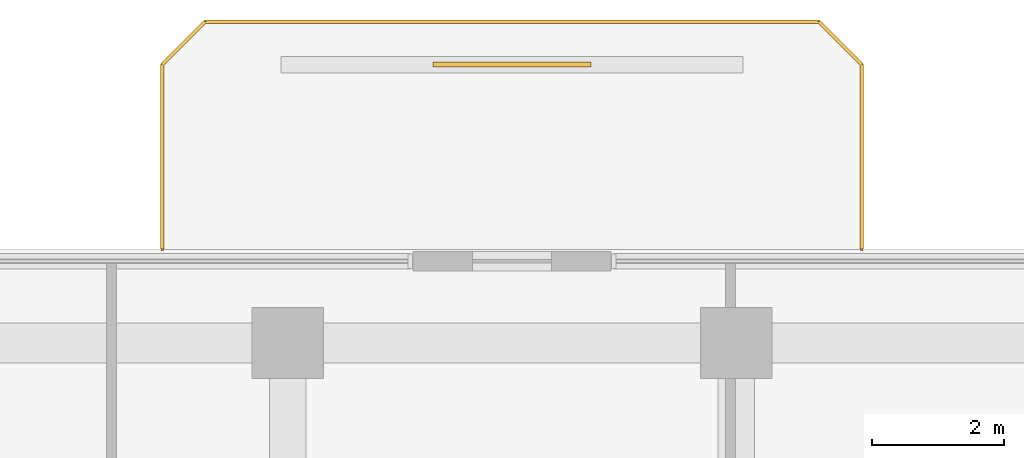
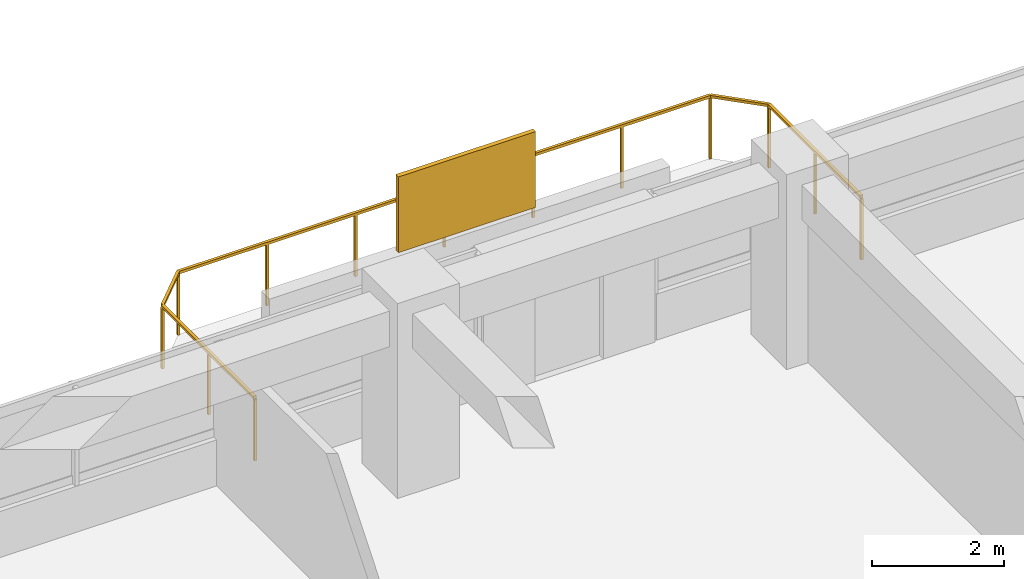
# One storey, part 13 of 13: 1 railing, 1 shading device.
"""IFC4 building model written with IfcOpenShell, lengths in metres."""

from ifc_helpers import new_model, si_unit, derived_unit, direction, frame, origin, origin_2d, place, context, subcontext, project, spatial, rectangle, extrude, material, layer, layer_set, type_object, element, save


model = new_model("IFC4")

# Units and contexts
model_context = context("Model", 3, precision=1e-05, world=origin(), true_north=direction((0.0, 1.0)))
body_context = subcontext(model_context, "Body", "Model", "MODEL_VIEW")
ifc_project = project(units=[si_unit("LENGTHUNIT", "METRE"), si_unit("AREAUNIT", "SQUARE_METRE"), si_unit("VOLUMEUNIT", "CUBIC_METRE"), si_unit("PLANEANGLEUNIT", "RADIAN"), si_unit("MASSUNIT", "GRAM", prefix="KILO"), derived_unit("THERMALTRANSMITTANCEUNIT", [(si_unit("POWERUNIT", "WATT"), 1), (si_unit("LENGTHUNIT", "METRE"), -2), (si_unit("THERMODYNAMICTEMPERATUREUNIT", "KELVIN"), -1)])], contexts=[model_context])

# Site, building, storey
site_placement = place(None, origin())
site = spatial("IfcSite", under=ifc_project, at=site_placement, CompositionType="ELEMENT")
building_placement = place(site_placement, origin())
building = spatial("IfcBuilding", under=site, at=building_placement, Name="Koralith Skygarden Medical Center", CompositionType="ELEMENT")
storey_placement = place(building_placement, frame((0.0, 0.0, 59.93994140625)))
storey = spatial("IfcBuildingStorey", under=building, at=storey_placement, Name="L15", CompositionType="ELEMENT", Elevation=59.93994140625)

# Railing
ifc_material_1 = material(Name="Steel ASTM A500 Grade C", Category="steel")
railing_type = type_object("IfcRailingType", Name="Outdoor Terrace & Balcony Safety Guardrail 1180", PredefinedType="GUARDRAIL", material=ifc_material_1)
railing_placement = place(storey_placement, frame((42.300048828125, 49.5, 0.0)))
element("IfcRailing", 1, at=railing_placement, inside=storey, type_object=railing_type, Name="L15 N Balcony Perimeter Guardrail", PredefinedType="GUARDRAIL", context=body_context, shape_type="SweptSolid", body=[
    extrude(rectangle(XDim=0.050048828125, YDim=0.050048828125, at=origin_2d()), frame((0.0, 0.001953125, 1.15478515625), z_axis=(0.0, 1.0, 0.0), x_axis=(-1.0, 0.0, 0.0)), (0.0, 0.0, 1.0), 2.796142578125),
    extrude(rectangle(XDim=0.050048828125, YDim=0.050048828125, at=origin_2d()), frame((-0.00146484375, 2.801513671875, 1.15478515625), z_axis=(-0.707239558722, 0.706973978714, 0.0), x_axis=(-0.706973978714, -0.707239558722, 0.0)), (0.0, 0.0, 1.0), 0.915283203125),
    extrude(rectangle(XDim=0.050048828125, YDim=0.050048828125, at=origin_2d()), frame((-0.652099609375, 3.449951171875, 1.15478515625), z_axis=(-1.0, 0.0, 0.0), x_axis=(0.0, -1.0, 0.0)), (0.0, 0.0, 1.0), 9.2958984375),
    extrude(rectangle(XDim=0.050048828125, YDim=0.050048828125, at=origin_2d()), frame((-9.951416015625, 3.448486328125, 1.15478515625), z_axis=(-0.707239558722, -0.706973978714, 0.0), x_axis=(0.706973978714, -0.707239558722, 0.0)), (0.0, 0.0, 1.0), 0.915283203125),
    extrude(rectangle(XDim=0.050048828125, YDim=0.050048828125, at=origin_2d()), frame((-10.60009765625, 2.798095703125, 1.15478515625), z_axis=(0.0, -1.0, 0.0), x_axis=(1.0, 0.0, 0.0)), (0.0, 0.0, 1.0), 2.796142578125),
    extrude(rectangle(XDim=0.0419921875, YDim=0.0419921875, at=origin_2d()), origin(), (0.0, 0.0, 1.0), 1.1279296875),
    extrude(rectangle(XDim=0.0419921875, YDim=0.0419921875, at=origin_2d()), frame((0.0, 1.39990234375, 0.0)), (0.0, 0.0, 1.0), 1.1279296875),
    extrude(rectangle(XDim=0.0419921875, YDim=0.0419921875, at=origin_2d()), frame((0.0, 2.800048828125, 0.0)), (0.0, 0.0, 1.0), 1.1279296875),
    extrude(rectangle(XDim=0.0419921875, YDim=0.0419921875, at=origin_2d()), frame((-0.650146484375, 3.449951171875, 0.0)), (0.0, 0.0, 1.0), 1.1279296875),
    extrude(rectangle(XDim=0.0419921875, YDim=0.0419921875, at=origin_2d()), frame((-2.2001953125, 3.449951171875, 0.0)), (0.0, 0.0, 1.0), 1.1279296875),
    extrude(rectangle(XDim=0.0419921875, YDim=0.0419921875, at=origin_2d()), frame((-3.75, 3.449951171875, 0.0)), (0.0, 0.0, 1.0), 1.1279296875),
    extrude(rectangle(XDim=0.0419921875, YDim=0.0419921875, at=origin_2d()), frame((-5.300048828125, 3.449951171875, 0.0)), (0.0, 0.0, 1.0), 1.1279296875),
    extrude(rectangle(XDim=0.0419921875, YDim=0.0419921875, at=origin_2d()), frame((-6.85009765625, 3.449951171875, 0.0)), (0.0, 0.0, 1.0), 1.1279296875),
    extrude(rectangle(XDim=0.0419921875, YDim=0.0419921875, at=origin_2d()), frame((-8.39990234375, 3.449951171875, 0.0)), (0.0, 0.0, 1.0), 1.1279296875),
    extrude(rectangle(XDim=0.0419921875, YDim=0.0419921875, at=origin_2d()), frame((-9.949951171875, 3.449951171875, 0.0)), (0.0, 0.0, 1.0), 1.1279296875),
    extrude(rectangle(XDim=0.0419921875, YDim=0.0419921875, at=origin_2d()), frame((-10.60009765625, 2.800048828125, 0.0)), (0.0, 0.0, 1.0), 1.1279296875),
    extrude(rectangle(XDim=0.0419921875, YDim=0.0419921875, at=origin_2d()), frame((-10.60009765625, 1.39990234375, 0.0)), (0.0, 0.0, 1.0), 1.1279296875),
    extrude(rectangle(XDim=0.0419921875, YDim=0.0419921875, at=origin_2d()), frame((-10.60009765625, 0.0, 0.0)), (0.0, 0.0, 1.0), 1.1279296875),
])

# Shading device
ifc_material_2 = material(Name="Aluminium 6063-T6", Category="aluminium")
ifc_layer = layer(ifc_material_2, 0.080078125)
ifc_layer_set = layer_set([ifc_layer], Name="Aluminium 6063-T6")
shading_device_type = type_object("IfcShadingDeviceType", Name="Perforated Biophilic Balcony Trellis Screen", PredefinedType="USERDEFINED", material=ifc_layer_set)
shading_device_placement = place(storey_placement, frame((37.0, 52.300048828125, 0.72021484375), z_axis=(0.0, 0.0, 1.0), x_axis=(1.0, 0.0, 0.0)))
element("IfcShadingDevice", 2, at=shading_device_placement, inside=storey, type_object=shading_device_type, Name="L15 N Biophilic Balcony Trellis Screen", ObjectType="HURRICANE SCREEN", PredefinedType="USERDEFINED", context=body_context, shape_type="SweptSolid", body=[
    extrude(rectangle(XDim=2.39990234375, YDim=0.080078125, at=origin_2d()), origin(), (0.0, 0.0, 1.0), 1.39990234375),
])

save(model, "model.ifc")
